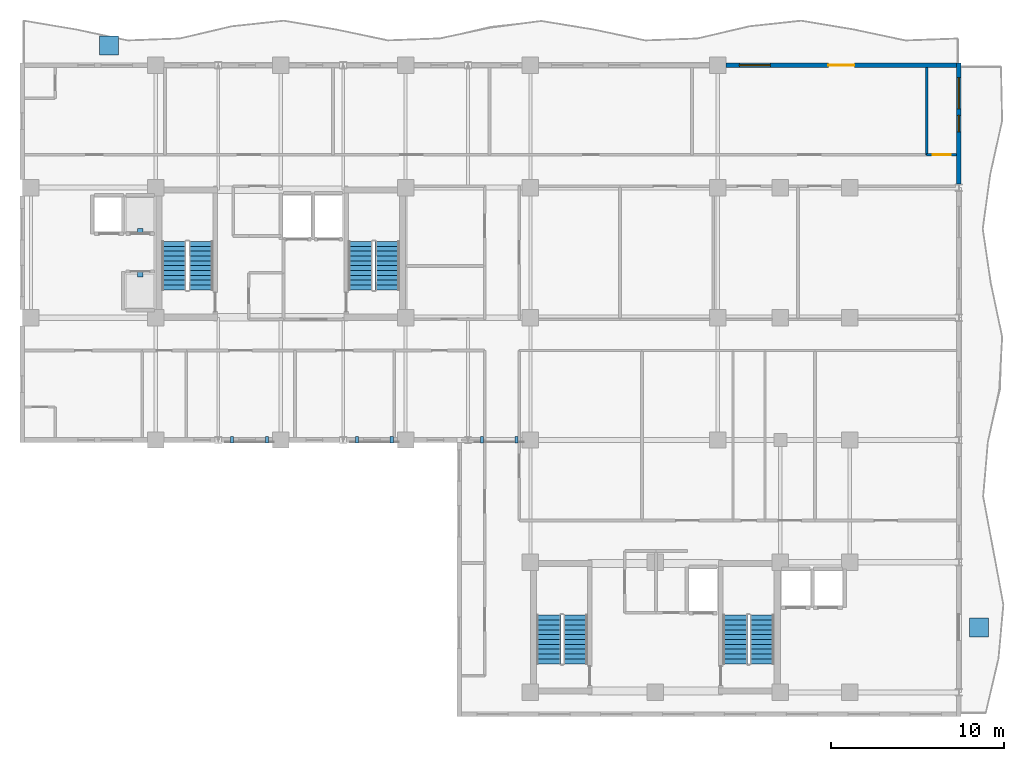
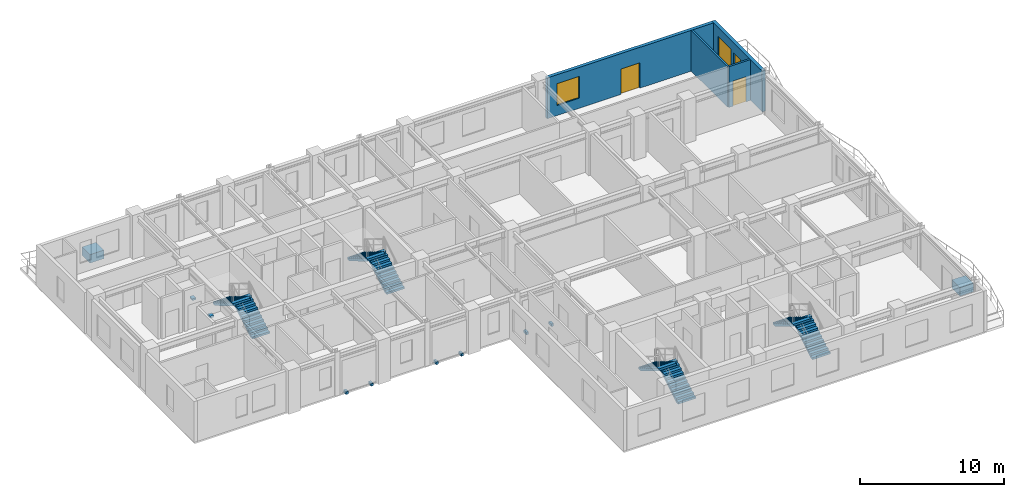
# One storey, part 10 of 14: 10 discrete accessories, 8 stair flights, 4 walls, 3 windows, 2 doors, 5 openings, 4 elements without a shape of their own.
"""IFC4 building model written with IfcOpenShell, lengths in metres."""

from ifc_helpers import new_model, si_unit, direction, frame, frame_2d, origin, origin_2d, place, context, subcontext, project, spatial, polyline, rectangle, outline, extrude, source, transform, mapped, material, layer, layer_set, type_object, element, fill, aggregate, save


model = new_model("IFC4")

# Units and contexts
model_context = context("Model", 3, precision=1e-05, world=origin(), true_north=direction((0.0, 1.0)))
body_context = subcontext(model_context, "Body", "Model", "MODEL_VIEW")
ifc_project = project(units=[si_unit("LENGTHUNIT", "METRE"), si_unit("AREAUNIT", "SQUARE_METRE"), si_unit("VOLUMEUNIT", "CUBIC_METRE"), si_unit("PLANEANGLEUNIT", "RADIAN"), si_unit("MASSUNIT", "GRAM", prefix="KILO")], contexts=[model_context])

# Site, building, storey
site_placement = place(None, origin())
site = spatial("IfcSite", under=ifc_project, at=site_placement, CompositionType="ELEMENT")
building_placement = place(site_placement, origin())
building = spatial("IfcBuilding", under=site, at=building_placement, Name="Kaliganga Portal Commons", CompositionType="ELEMENT")
storey_placement = place(building_placement, frame((0.0, 0.0, 220.300048828125)))
storey = spatial("IfcBuildingStorey", under=building, at=storey_placement, Name="L56", CompositionType="ELEMENT", Elevation=220.300048828125)

# Wall, openings, windows
ifc_material_1 = material(Name="Insulated Aluminium-Clad Spandrel Assembly", Category="aluminium")
ifc_layer_1 = layer(ifc_material_1, 0.260009765625)
ifc_layer_set_1 = layer_set([ifc_layer_1], Name="Insulated Aluminium-Clad Spandrel Assembly")
wall_type_1 = type_object("IfcWallType", Name="WL-EXT-SPAND-260", PredefinedType="STANDARD", material=ifc_layer_set_1)
wall_1_placement = place(storey_placement, frame((60.699951171875, 43.330078125, 0.0), z_axis=(0.0, 0.0, 1.0), x_axis=(0.0, -1.0, 0.0)))
wall_1 = element("IfcWall", 1, at=wall_1_placement, inside=storey, type_object=wall_type_1, Name="Exterior Envelope Wall L56 P1-E01-S6", PredefinedType="STANDARD", context=body_context, shape_type="SweptSolid", body=[
    extrude(rectangle(XDim=6.97900390625, YDim=0.260009765625, at=frame_2d((3.489501953125, 0.0))), origin(), (0.0, 0.0, 1.0), 3.449951171875),
])
opening_1_placement = place(wall_1_placement, frame((0.8447265625, 0.0, 0.85009765625)))
opening_1 = element("IfcOpeningElement", 2, at=opening_1_placement, cuts=wall_1, Name="Opening W-01", PredefinedType="OPENING", context=body_context, shape_type="SweptSolid", body=[
    extrude(rectangle(XDim=1.800048828125, YDim=1.85009765625, at=frame_2d((0.89990234375, 0.925048828125))), frame((0.0, 0.14013671875, 0.0), z_axis=(0.0, -1.0, 0.0), x_axis=(1.0, 0.0, 0.0)), (0.0, 0.0, 1.0), 0.280029296875),
])
opening_2_placement = place(wall_1_placement, frame((3.014404296875, 0.0, 0.85009765625)))
opening_2 = element("IfcOpeningElement", 3, at=opening_2_placement, cuts=wall_1, Name="Opening W-04", PredefinedType="OPENING", context=body_context, shape_type="SweptSolid", body=[
    extrude(rectangle(XDim=0.949951171875, YDim=1.75, at=frame_2d((0.47509765625, 0.875))), frame((0.0, 0.14013671875, 0.0), z_axis=(0.0, -1.0, 0.0), x_axis=(1.0, 0.0, 0.0)), (0.0, 0.0, 1.0), 0.280029296875),
])
ifc_material_2 = material(Name="Thermally Broken Aluminium and Low-E Double Glazing", Category="aluminium")
window_type_1 = type_object("IfcWindowType", Name="WIN-NARROW-950", PartitioningType="SINGLE_PANEL", PredefinedType="WINDOW", material=ifc_material_2)
window_1_placement = place(opening_2_placement, origin())
window_1 = element("IfcWindow", 4, at=window_1_placement, inside=storey, type_object=window_type_1, Name="Facade Window L56-P1E01S6-N0", OverallHeight=1.75, OverallWidth=0.949951171875, PartitioningType="SINGLE_PANEL", PredefinedType="WINDOW", context=body_context, shape_type="SweptSolid", body=[
    extrude(rectangle(XDim=0.949951171875, YDim=1.75, at=frame_2d((0.47509765625, 0.875))), frame((0.0, 0.030029296875, 0.0), z_axis=(0.0, -1.0, 0.0), x_axis=(1.0, 0.0, 0.0)), (0.0, 0.0, 1.0), 0.06005859375),
])
fill(opening_2, window_1)
window_type_2 = type_object("IfcWindowType", Name="WIN-STD-1800", PartitioningType="DOUBLE_PANEL_VERTICAL", PredefinedType="WINDOW", material=ifc_material_2)
window_2_placement = place(opening_1_placement, origin())
window_2 = element("IfcWindow", 5, at=window_2_placement, inside=storey, type_object=window_type_2, Name="Facade Window L56-P1E01S6-00", OverallHeight=1.85009765625, OverallWidth=1.800048828125, PartitioningType="SINGLE_PANEL", PredefinedType="WINDOW", context=body_context, shape_type="SweptSolid", body=[
    extrude(rectangle(XDim=1.800048828125, YDim=1.85009765625, at=frame_2d((0.89990234375, 0.925048828125))), frame((0.0, 0.030029296875, 0.0), z_axis=(0.0, -1.0, 0.0), x_axis=(1.0, 0.0, 0.0)), (0.0, 0.0, 1.0), 0.06005859375),
])
fill(opening_1, window_2)

# Wall, openings, door, window
wall_2_placement = place(storey_placement, frame((47.27587890625, 43.199951171875, 0.0), z_axis=(0.0, 0.0, 1.0), x_axis=(1.0, 0.0, 0.0)))
wall_2 = element("IfcWall", 6, at=wall_2_placement, inside=storey, type_object=wall_type_1, Name="Exterior Envelope Wall L56 P1-E02-S1", PredefinedType="STANDARD", context=body_context, shape_type="SweptSolid", body=[
    extrude(rectangle(XDim=13.2890625, YDim=0.260009765625, at=frame_2d((6.64453125, 0.0))), origin(), (0.0, 0.0, 1.0), 3.449951171875),
])
opening_3_placement = place(wall_2_placement, frame((5.89404296875, 0.0, 0.0)))
opening_3 = element("IfcOpeningElement", 7, at=opening_3_placement, cuts=wall_2, Name="Opening BD-01", PredefinedType="OPENING", context=body_context, shape_type="SweptSolid", body=[
    extrude(rectangle(XDim=1.5, YDim=2.14990234375, at=frame_2d((0.75, 1.074951171875))), frame((0.0, 0.14013671875, 0.0), z_axis=(0.0, -1.0, 0.0), x_axis=(1.0, 0.0, 0.0)), (0.0, 0.0, 1.0), 0.280029296875),
])
opening_4_placement = place(wall_2_placement, frame((0.760986328125, 0.0, 0.85009765625)))
opening_4 = element("IfcOpeningElement", 8, at=opening_4_placement, cuts=wall_2, Name="Opening W-01", PredefinedType="OPENING", context=body_context, shape_type="SweptSolid", body=[
    extrude(rectangle(XDim=1.800048828125, YDim=1.85009765625, at=frame_2d((0.89990234375, 0.925048828125))), frame((0.0, 0.14013671875, 0.0), z_axis=(0.0, -1.0, 0.0), x_axis=(1.0, 0.0, 0.0)), (0.0, 0.0, 1.0), 0.280029296875),
])
ifc_material_3 = material(Name="Anodized Aluminium and Laminated Safety Glass", Category="aluminium")
door_type_1 = type_object("IfcDoorType", Name="DR-BALC-1500", OperationType="SLIDING_TO_LEFT", PredefinedType="DOOR", material=ifc_material_3)
door_1_placement = place(opening_3_placement, origin())
door_1 = element("IfcDoor", 9, at=door_1_placement, inside=storey, type_object=door_type_1, Name="Balcony Sliding Door L56 balc_north", OperationType="SLIDING_TO_LEFT", OverallHeight=2.14990234375, OverallWidth=1.5, PredefinedType="DOOR", context=body_context, shape_type="SweptSolid", body=[
    extrude(rectangle(XDim=1.5, YDim=2.14990234375, at=frame_2d((0.75, 1.074951171875))), frame((0.0, 0.02490234375, 0.0), z_axis=(0.0, -1.0, 0.0), x_axis=(1.0, 0.0, 0.0)), (0.0, 0.0, 1.0), 0.050048828125),
])
fill(opening_3, door_1)
window_3_placement = place(opening_4_placement, origin())
window_3 = element("IfcWindow", 10, at=window_3_placement, inside=storey, type_object=window_type_2, Name="Facade Window L56-P1E02S1-00", OverallHeight=1.85009765625, OverallWidth=1.800048828125, PartitioningType="SINGLE_PANEL", PredefinedType="WINDOW", context=body_context, shape_type="SweptSolid", body=[
    extrude(rectangle(XDim=1.800048828125, YDim=1.85009765625, at=frame_2d((0.89990234375, 0.925048828125))), frame((0.0, 0.030029296875, 0.0), z_axis=(0.0, -1.0, 0.0), x_axis=(1.0, 0.0, 0.0)), (0.0, 0.0, 1.0), 0.06005859375),
])
fill(opening_4, window_3)

# Wall, opening, door
ifc_material_4 = material(Name="Fire-Rated Gypsum Board on Steel Stud", Category="steel")
ifc_layer_2 = layer(ifc_material_4, 0.14990234375)
ifc_layer_set_2 = layer_set([ifc_layer_2], Name="Fire-Rated Gypsum Board on Steel Stud")
wall_type_2 = type_object("IfcWallType", Name="WL-PART-CORR-150", PredefinedType="PARTITIONING", material=ifc_layer_set_2)
wall_3_placement = place(storey_placement, frame((58.840087890625, 38.0400390625, 0.0), z_axis=(0.0, 0.0, 1.0), x_axis=(1.0, 0.0, 0.0)))
wall_3 = element("IfcWall", 11, at=wall_3_placement, inside=storey, type_object=wall_type_2, Name="Interior Partition L56-042", PredefinedType="PARTITIONING", context=body_context, shape_type="SweptSolid", body=[
    extrude(rectangle(XDim=1.72802734375, YDim=0.14990234375, at=frame_2d((0.864013671875, 0.0))), origin(), (0.0, 0.0, 1.0), 3.449951171875),
])
opening_5_placement = place(wall_3_placement, frame((0.339111328125, 0.0, 0.0)))
opening_5 = element("IfcOpeningElement", 12, at=opening_5_placement, cuts=wall_3, Name="Opening UD-02", PredefinedType="OPENING", context=body_context, shape_type="SweptSolid", body=[
    extrude(rectangle(XDim=1.050048828125, YDim=2.1201171875, at=frame_2d((0.52490234375, 1.06005859375))), frame((0.0, 0.0849609375, 0.0), z_axis=(0.0, -1.0, 0.0), x_axis=(1.0, 0.0, 0.0)), (0.0, 0.0, 1.0), 0.169921875),
])
ifc_material_5 = material(Name="Accessible Wide-Leaf Acoustic Fire Door", Category="wood")
door_type_2 = type_object("IfcDoorType", Name="DR-ACC-1050", OperationType="NOTDEFINED", PredefinedType="DOOR", material=ifc_material_5)
door_2_placement = place(opening_5_placement, origin())
door_2 = element("IfcDoor", 13, at=door_2_placement, inside=storey, type_object=door_type_2, Name="Interior Door L56-AN06", OperationType="SINGLE_SWING_RIGHT", OverallHeight=2.1201171875, OverallWidth=1.050048828125, PredefinedType="DOOR", context=body_context, shape_type="SweptSolid", body=[
    extrude(rectangle(XDim=1.050048828125, YDim=2.1201171875, at=frame_2d((0.52490234375, 1.06005859375))), frame((0.0, 0.02490234375, 0.0), z_axis=(0.0, -1.0, 0.0), x_axis=(1.0, 0.0, 0.0)), (0.0, 0.0, 1.0), 0.050048828125),
])
fill(opening_5, door_2)

# Wall
ifc_material_6 = material(Name="Cement-Board Wet-Room Partition", Category="gypsum")
ifc_layer_3 = layer(ifc_material_6, 0.135009765625)
ifc_layer_set_3 = layer_set([ifc_layer_3], Name="Cement-Board Wet-Room Partition")
wall_type_3 = type_object("IfcWallType", Name="WL-PART-WET-135", PredefinedType="PARTITIONING", material=ifc_layer_set_3)
wall_4_placement = place(storey_placement, frame((58.840087890625, 38.0400390625, 0.0), z_axis=(0.0, 0.0, 1.0), x_axis=(0.0, 1.0, 0.0)))
element("IfcWall", 14, at=wall_4_placement, inside=storey, type_object=wall_type_3, Name="Interior Partition L56-067", PredefinedType="PARTITIONING", context=body_context, shape_type="SweptSolid", body=[
    extrude(rectangle(XDim=5.028076171875, YDim=0.135009765625, at=frame_2d((2.51416015625, 0.0))), origin(), (0.0, 0.0, 1.0), 3.449951171875),
])

# Stair, stair flights
ifc_material_7 = material(Name="Concrete C40/50", Category="concrete")
stair_type = type_object("IfcStairType", Name="ST-CORE-DOGLEG", PredefinedType="HALF_TURN_STAIR", material=ifc_material_7)
stair_1_placement = place(storey_placement, origin())
stair_1 = element("IfcStair", 15, at=stair_1_placement, inside=storey, type_object=stair_type, Name="L56 Protected Exit Stair ST-A1", PredefinedType="HALF_TURN_STAIR")
stair_flight_type = type_object("IfcStairFlightType", Name="STF-RC-1400", PredefinedType="STRAIGHT", material=ifc_material_7)
stair_flight_1_placement = place(storey_placement, frame((17.0, 30.25, 0.0), z_axis=(0.0, 0.0, 1.0), x_axis=(0.0, 1.0, 0.0)))
stair_flight_1 = element("IfcStairFlight", 16, at=stair_flight_1_placement, type_object=stair_flight_type, Name="ST-A1 flight 1", NumberOfRisers=11, NumberOfTreads=10, PredefinedType="STRAIGHT", RiserHeight=0.168181818, TreadLength=0.28, context=body_context, shape_type="SweptSolid", body=[
    extrude(outline(polyline([(0.0, 0.0), (0.0, 0.168212890625), (0.280029296875, 0.168212890625), (0.280029296875, 0.33642578125), (0.56005859375, 0.33642578125), (0.56005859375, 0.504638671875), (0.840087890625, 0.504638671875), (0.840087890625, 0.672607421875), (1.1201171875, 0.672607421875), (1.1201171875, 0.8408203125), (1.39990234375, 0.8408203125), (1.39990234375, 1.009033203125), (1.679931640625, 1.009033203125), (1.679931640625, 1.17724609375), (1.9599609375, 1.17724609375), (1.9599609375, 1.345458984375), (2.239990234375, 1.345458984375), (2.239990234375, 1.513671875), (2.52001953125, 1.513671875), (2.52001953125, 1.681884765625), (2.800048828125, 1.681884765625), (2.800048828125, 1.85009765625), (2.800048828125, 1.5068359375), (0.291015625, 0.0), (0.0, 0.0)])), frame((0.0, 0.699951171875, 0.0), z_axis=(0.0, -1.0, 0.0), x_axis=(1.0, 0.0, 0.0)), (0.0, 0.0, 1.0), 1.39990234375),
])
stair_flight_2_placement = place(storey_placement, frame((15.449951171875, 33.050048828125, 1.849853515625), z_axis=(0.0, 0.0, 1.0), x_axis=(0.0, -1.0, 0.0)))
stair_flight_2 = element("IfcStairFlight", 17, at=stair_flight_2_placement, type_object=stair_flight_type, Name="ST-A1 flight 2", NumberOfRisers=11, NumberOfTreads=10, PredefinedType="STRAIGHT", RiserHeight=0.168181818, TreadLength=0.28, context=body_context, shape_type="SweptSolid", body=[
    extrude(outline(polyline([(0.0, 0.0), (0.0, 0.168212890625), (0.280029296875, 0.168212890625), (0.280029296875, 0.33642578125), (0.56005859375, 0.33642578125), (0.56005859375, 0.504638671875), (0.840087890625, 0.504638671875), (0.840087890625, 0.672607421875), (1.1201171875, 0.672607421875), (1.1201171875, 0.8408203125), (1.39990234375, 0.8408203125), (1.39990234375, 1.009033203125), (1.679931640625, 1.009033203125), (1.679931640625, 1.17724609375), (1.9599609375, 1.17724609375), (1.9599609375, 1.345458984375), (2.239990234375, 1.345458984375), (2.239990234375, 1.513671875), (2.52001953125, 1.513671875), (2.52001953125, 1.681884765625), (2.800048828125, 1.681884765625), (2.800048828125, 1.85009765625), (2.800048828125, 1.5068359375), (0.291015625, 0.0), (0.0, 0.0)])), frame((0.0, 0.699951171875, 0.0), z_axis=(0.0, -1.0, 0.0), x_axis=(1.0, 0.0, 0.0)), (0.0, 0.0, 1.0), 1.39990234375),
])
aggregate(stair_1, [stair_flight_1, stair_flight_2])

stair_2_placement = place(storey_placement, origin())
stair_2 = element("IfcStair", 18, at=stair_2_placement, inside=storey, type_object=stair_type, Name="L56 Protected Exit Stair ST-A2", PredefinedType="HALF_TURN_STAIR")
stair_flight_3_placement = place(storey_placement, frame((27.75, 30.25, 0.0), z_axis=(0.0, 0.0, 1.0), x_axis=(0.0, 1.0, 0.0)))
stair_flight_3 = element("IfcStairFlight", 19, at=stair_flight_3_placement, type_object=stair_flight_type, Name="ST-A2 flight 1", NumberOfRisers=11, NumberOfTreads=10, PredefinedType="STRAIGHT", RiserHeight=0.168181818, TreadLength=0.28, context=body_context, shape_type="SweptSolid", body=[
    extrude(outline(polyline([(0.0, 0.0), (0.0, 0.168212890625), (0.280029296875, 0.168212890625), (0.280029296875, 0.33642578125), (0.56005859375, 0.33642578125), (0.56005859375, 0.504638671875), (0.840087890625, 0.504638671875), (0.840087890625, 0.672607421875), (1.1201171875, 0.672607421875), (1.1201171875, 0.8408203125), (1.39990234375, 0.8408203125), (1.39990234375, 1.009033203125), (1.679931640625, 1.009033203125), (1.679931640625, 1.17724609375), (1.9599609375, 1.17724609375), (1.9599609375, 1.345458984375), (2.239990234375, 1.345458984375), (2.239990234375, 1.513671875), (2.52001953125, 1.513671875), (2.52001953125, 1.681884765625), (2.800048828125, 1.681884765625), (2.800048828125, 1.85009765625), (2.800048828125, 1.5068359375), (0.291015625, 0.0), (0.0, 0.0)])), frame((0.0, 0.699951171875, 0.0), z_axis=(0.0, -1.0, 0.0), x_axis=(1.0, 0.0, 0.0)), (0.0, 0.0, 1.0), 1.39990234375),
])
stair_flight_4_placement = place(storey_placement, frame((26.199951171875, 33.050048828125, 1.849853515625), z_axis=(0.0, 0.0, 1.0), x_axis=(0.0, -1.0, 0.0)))
stair_flight_4 = element("IfcStairFlight", 20, at=stair_flight_4_placement, type_object=stair_flight_type, Name="ST-A2 flight 2", NumberOfRisers=11, NumberOfTreads=10, PredefinedType="STRAIGHT", RiserHeight=0.168181818, TreadLength=0.28, context=body_context, shape_type="SweptSolid", body=[
    extrude(outline(polyline([(0.0, 0.0), (0.0, 0.168212890625), (0.280029296875, 0.168212890625), (0.280029296875, 0.33642578125), (0.56005859375, 0.33642578125), (0.56005859375, 0.504638671875), (0.840087890625, 0.504638671875), (0.840087890625, 0.672607421875), (1.1201171875, 0.672607421875), (1.1201171875, 0.8408203125), (1.39990234375, 0.8408203125), (1.39990234375, 1.009033203125), (1.679931640625, 1.009033203125), (1.679931640625, 1.17724609375), (1.9599609375, 1.17724609375), (1.9599609375, 1.345458984375), (2.239990234375, 1.345458984375), (2.239990234375, 1.513671875), (2.52001953125, 1.513671875), (2.52001953125, 1.681884765625), (2.800048828125, 1.681884765625), (2.800048828125, 1.85009765625), (2.800048828125, 1.5068359375), (0.291015625, 0.0), (0.0, 0.0)])), frame((0.0, 0.699951171875, 0.0), z_axis=(0.0, -1.0, 0.0), x_axis=(1.0, 0.0, 0.0)), (0.0, 0.0, 1.0), 1.39990234375),
])
aggregate(stair_2, [stair_flight_3, stair_flight_4])

stair_3_placement = place(storey_placement, origin())
stair_3 = element("IfcStair", 21, at=stair_3_placement, inside=storey, type_object=stair_type, Name="L56 Protected Exit Stair ST-B1", PredefinedType="HALF_TURN_STAIR")
stair_flight_5_placement = place(storey_placement, frame((38.60009765625, 8.699951171875, 0.0), z_axis=(0.0, 0.0, 1.0), x_axis=(0.0, 1.0, 0.0)))
stair_flight_5 = element("IfcStairFlight", 22, at=stair_flight_5_placement, type_object=stair_flight_type, Name="ST-B1 flight 1", NumberOfRisers=11, NumberOfTreads=10, PredefinedType="STRAIGHT", RiserHeight=0.168181818, TreadLength=0.28, context=body_context, shape_type="SweptSolid", body=[
    extrude(outline(polyline([(0.0, 0.0), (0.0, 0.168212890625), (0.280029296875, 0.168212890625), (0.280029296875, 0.33642578125), (0.56005859375, 0.33642578125), (0.56005859375, 0.504638671875), (0.840087890625, 0.504638671875), (0.840087890625, 0.672607421875), (1.1201171875, 0.672607421875), (1.1201171875, 0.8408203125), (1.39990234375, 0.8408203125), (1.39990234375, 1.009033203125), (1.679931640625, 1.009033203125), (1.679931640625, 1.17724609375), (1.9599609375, 1.17724609375), (1.9599609375, 1.345458984375), (2.239990234375, 1.345458984375), (2.239990234375, 1.513671875), (2.52001953125, 1.513671875), (2.52001953125, 1.681884765625), (2.800048828125, 1.681884765625), (2.800048828125, 1.85009765625), (2.800048828125, 1.5068359375), (0.291015625, 0.0), (0.0, 0.0)])), frame((0.0, 0.699951171875, 0.0), z_axis=(0.0, -1.0, 0.0), x_axis=(1.0, 0.0, 0.0)), (0.0, 0.0, 1.0), 1.39990234375),
])
stair_flight_6_placement = place(storey_placement, frame((37.050048828125, 11.5, 1.849853515625), z_axis=(0.0, 0.0, 1.0), x_axis=(0.0, -1.0, 0.0)))
stair_flight_6 = element("IfcStairFlight", 23, at=stair_flight_6_placement, type_object=stair_flight_type, Name="ST-B1 flight 2", NumberOfRisers=11, NumberOfTreads=10, PredefinedType="STRAIGHT", RiserHeight=0.168181818, TreadLength=0.28, context=body_context, shape_type="SweptSolid", body=[
    extrude(outline(polyline([(0.0, 0.0), (0.0, 0.168212890625), (0.280029296875, 0.168212890625), (0.280029296875, 0.33642578125), (0.56005859375, 0.33642578125), (0.56005859375, 0.504638671875), (0.840087890625, 0.504638671875), (0.840087890625, 0.672607421875), (1.1201171875, 0.672607421875), (1.1201171875, 0.8408203125), (1.39990234375, 0.8408203125), (1.39990234375, 1.009033203125), (1.679931640625, 1.009033203125), (1.679931640625, 1.17724609375), (1.9599609375, 1.17724609375), (1.9599609375, 1.345458984375), (2.239990234375, 1.345458984375), (2.239990234375, 1.513671875), (2.52001953125, 1.513671875), (2.52001953125, 1.681884765625), (2.800048828125, 1.681884765625), (2.800048828125, 1.85009765625), (2.800048828125, 1.5068359375), (0.291015625, 0.0), (0.0, 0.0)])), frame((0.0, 0.699951171875, 0.0), z_axis=(0.0, -1.0, 0.0), x_axis=(1.0, 0.0, 0.0)), (0.0, 0.0, 1.0), 1.39990234375),
])
aggregate(stair_3, [stair_flight_5, stair_flight_6])

stair_4_placement = place(storey_placement, origin())
stair_4 = element("IfcStair", 24, at=stair_4_placement, inside=storey, type_object=stair_type, Name="L56 Protected Exit Stair ST-B2", PredefinedType="HALF_TURN_STAIR")
stair_flight_7_placement = place(storey_placement, frame((49.35009765625, 8.699951171875, 0.0), z_axis=(0.0, 0.0, 1.0), x_axis=(0.0, 1.0, 0.0)))
stair_flight_7 = element("IfcStairFlight", 25, at=stair_flight_7_placement, type_object=stair_flight_type, Name="ST-B2 flight 1", NumberOfRisers=11, NumberOfTreads=10, PredefinedType="STRAIGHT", RiserHeight=0.168181818, TreadLength=0.28, context=body_context, shape_type="SweptSolid", body=[
    extrude(outline(polyline([(0.0, 0.0), (0.0, 0.168212890625), (0.280029296875, 0.168212890625), (0.280029296875, 0.33642578125), (0.56005859375, 0.33642578125), (0.56005859375, 0.504638671875), (0.840087890625, 0.504638671875), (0.840087890625, 0.672607421875), (1.1201171875, 0.672607421875), (1.1201171875, 0.8408203125), (1.39990234375, 0.8408203125), (1.39990234375, 1.009033203125), (1.679931640625, 1.009033203125), (1.679931640625, 1.17724609375), (1.9599609375, 1.17724609375), (1.9599609375, 1.345458984375), (2.239990234375, 1.345458984375), (2.239990234375, 1.513671875), (2.52001953125, 1.513671875), (2.52001953125, 1.681884765625), (2.800048828125, 1.681884765625), (2.800048828125, 1.85009765625), (2.800048828125, 1.5068359375), (0.291015625, 0.0), (0.0, 0.0)])), frame((0.0, 0.699951171875, 0.0), z_axis=(0.0, -1.0, 0.0), x_axis=(1.0, 0.0, 0.0)), (0.0, 0.0, 1.0), 1.39990234375),
])
stair_flight_8_placement = place(storey_placement, frame((47.800048828125, 11.5, 1.849853515625), z_axis=(0.0, 0.0, 1.0), x_axis=(0.0, -1.0, 0.0)))
stair_flight_8 = element("IfcStairFlight", 26, at=stair_flight_8_placement, type_object=stair_flight_type, Name="ST-B2 flight 2", NumberOfRisers=11, NumberOfTreads=10, PredefinedType="STRAIGHT", RiserHeight=0.168181818, TreadLength=0.28, context=body_context, shape_type="SweptSolid", body=[
    extrude(outline(polyline([(0.0, 0.0), (0.0, 0.168212890625), (0.280029296875, 0.168212890625), (0.280029296875, 0.33642578125), (0.56005859375, 0.33642578125), (0.56005859375, 0.504638671875), (0.840087890625, 0.504638671875), (0.840087890625, 0.672607421875), (1.1201171875, 0.672607421875), (1.1201171875, 0.8408203125), (1.39990234375, 0.8408203125), (1.39990234375, 1.009033203125), (1.679931640625, 1.009033203125), (1.679931640625, 1.17724609375), (1.9599609375, 1.17724609375), (1.9599609375, 1.345458984375), (2.239990234375, 1.345458984375), (2.239990234375, 1.513671875), (2.52001953125, 1.513671875), (2.52001953125, 1.681884765625), (2.800048828125, 1.681884765625), (2.800048828125, 1.85009765625), (2.800048828125, 1.5068359375), (0.291015625, 0.0), (0.0, 0.0)])), frame((0.0, 0.699951171875, 0.0), z_axis=(0.0, -1.0, 0.0), x_axis=(1.0, 0.0, 0.0)), (0.0, 0.0, 1.0), 1.39990234375),
])
aggregate(stair_4, [stair_flight_7, stair_flight_8])

# Discrete accessories
ifc_material_8 = material(Name="Precast concrete C40/50", Category="concrete")
discrete_accessory_type_1 = type_object("IfcDiscreteAccessoryType", Name="DAC-PLANTER-RC", PredefinedType="USERDEFINED", material=ifc_material_8)
shared_shape_1 = source(origin(), body_context, "Body", "SweptSolid", [
    extrude(rectangle(XDim=1.10009765625, YDim=1.10009765625, at=origin_2d()), origin(), (0.0, 0.0, 1.0), 0.719970703125),
])
for number, where, z_axis, x_axis, name in (
    (27, (11.699951171875, 44.35009765625, 0.0), (0.0, 0.0, 1.0), (1.0, 0.0, 0.0), "Structural Tree Planter L56 balc_north"),
    (28, (61.85009765625, 10.800048828125, 0.0), (0.0, 0.0, 1.0), (1.0, 0.0, 0.0), "Structural Tree Planter L56 balc_east"),
):
    element("IfcDiscreteAccessory", number, at=place(storey_placement, frame(where, z_axis=z_axis, x_axis=x_axis)), inside=storey, type_object=discrete_accessory_type_1, Name=name, ObjectType="PLANTER", PredefinedType="USERDEFINED", context=body_context, shape_type="MappedRepresentation", body=[
        mapped(shared_shape_1, transform((0.0, 0.0, 0.0), x_axis=(1.0, 0.0, 0.0), y_axis=(0.0, 1.0, 0.0), z_axis=(0.0, 0.0, 1.0), scale=1.0)),
    ])
ifc_material_9 = material(Name="Structural steel S355J2", Category="steel")
discrete_accessory_type_2 = type_object("IfcDiscreteAccessoryType", Name="DAC-BRK-SCR", PredefinedType="BRACKET", material=ifc_material_9)
shared_shape_2 = source(origin(), body_context, "Body", "SweptSolid", [
    extrude(rectangle(XDim=0.179931640625, YDim=0.360107421875, at=origin_2d()), origin(), (0.0, 0.0, 1.0), 0.219970703125),
])
for number, where, z_axis, x_axis, name in (
    (29, (18.800048828125, 21.6201171875, -0.18994140625), (0.0, 0.0, 1.0), (1.0, 0.0, 0.0), "Solar Screen Outrigger Bracket L56-S1-1"),
    (30, (20.800048828125, 21.6201171875, -0.18994140625), (0.0, 0.0, 1.0), (1.0, 0.0, 0.0), "Solar Screen Outrigger Bracket L56-S1-2"),
    (31, (26.0, 21.6201171875, -0.18994140625), (0.0, 0.0, 1.0), (1.0, 0.0, 0.0), "Solar Screen Outrigger Bracket L56-S2-1"),
    (32, (28.0, 21.6201171875, -0.18994140625), (0.0, 0.0, 1.0), (1.0, 0.0, 0.0), "Solar Screen Outrigger Bracket L56-S2-2"),
    (33, (33.199951171875, 21.6201171875, -0.18994140625), (0.0, 0.0, 1.0), (1.0, 0.0, 0.0), "Solar Screen Outrigger Bracket L56-S3-1"),
    (34, (35.199951171875, 21.6201171875, -0.18994140625), (0.0, 0.0, 1.0), (1.0, 0.0, 0.0), "Solar Screen Outrigger Bracket L56-S3-2"),
):
    element("IfcDiscreteAccessory", number, at=place(storey_placement, frame(where, z_axis=z_axis, x_axis=x_axis)), inside=storey, type_object=discrete_accessory_type_2, Name=name, PredefinedType="BRACKET", context=body_context, shape_type="MappedRepresentation", body=[
        mapped(shared_shape_2, transform((0.0, 0.0, 0.0), x_axis=(1.0, 0.0, 0.0), y_axis=(0.0, 1.0, 0.0), z_axis=(0.0, 0.0, 1.0), scale=1.0)),
    ])
discrete_accessory_type_3 = type_object("IfcDiscreteAccessoryType", Name="DAC-LIFT-GUIDE", PredefinedType="BRACKET", material=ifc_material_9)
shared_shape_3 = source(origin(), body_context, "Body", "SweptSolid", [
    extrude(rectangle(XDim=0.300048828125, YDim=0.360107421875, at=origin_2d()), origin(), (0.0, 0.0, 1.0), 0.159912109375),
])
for number, where, z_axis, x_axis, name in (
    (35, (13.5, 33.625, 2.33984375), (0.0, 0.0, 1.0), (1.0, 0.0, 0.0), "Lift PL-A3 Guide-Rail Stabilizer Bracket"),
    (36, (13.5, 31.175048828125, 2.33984375), (0.0, 0.0, 1.0), (1.0, 0.0, 0.0), "Lift PL-A4 Guide-Rail Stabilizer Bracket"),
):
    element("IfcDiscreteAccessory", number, at=place(storey_placement, frame(where, z_axis=z_axis, x_axis=x_axis)), inside=storey, type_object=discrete_accessory_type_3, Name=name, PredefinedType="BRACKET", context=body_context, shape_type="MappedRepresentation", body=[
        mapped(shared_shape_3, transform((0.0, 0.0, 0.0), x_axis=(1.0, 0.0, 0.0), y_axis=(0.0, 1.0, 0.0), z_axis=(0.0, 0.0, 1.0), scale=1.0)),
    ])

save(model, "model.ifc")
